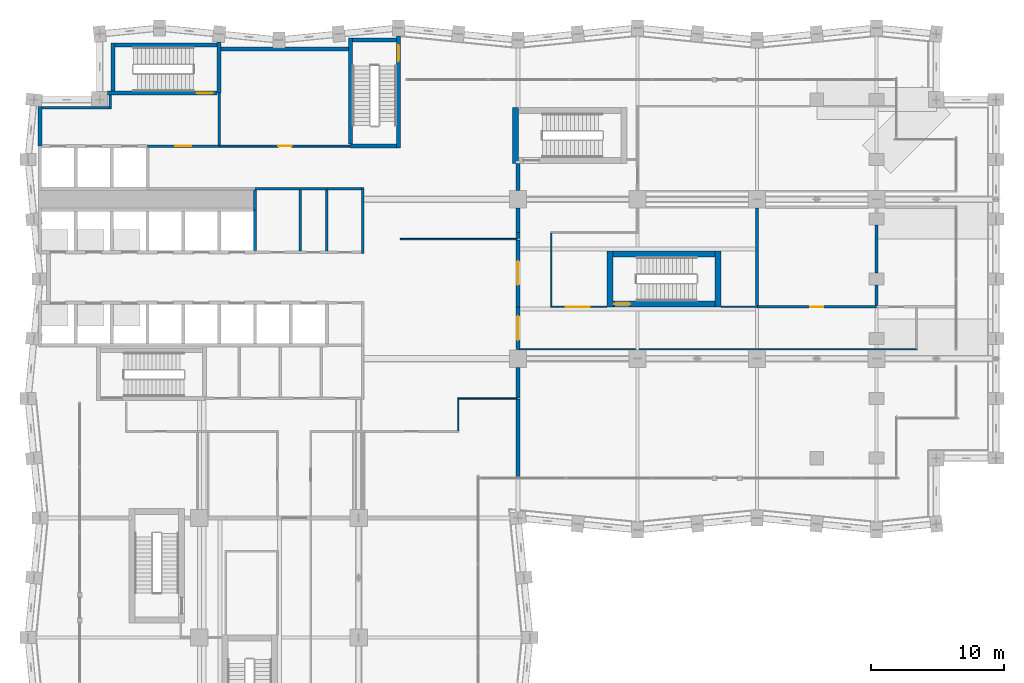
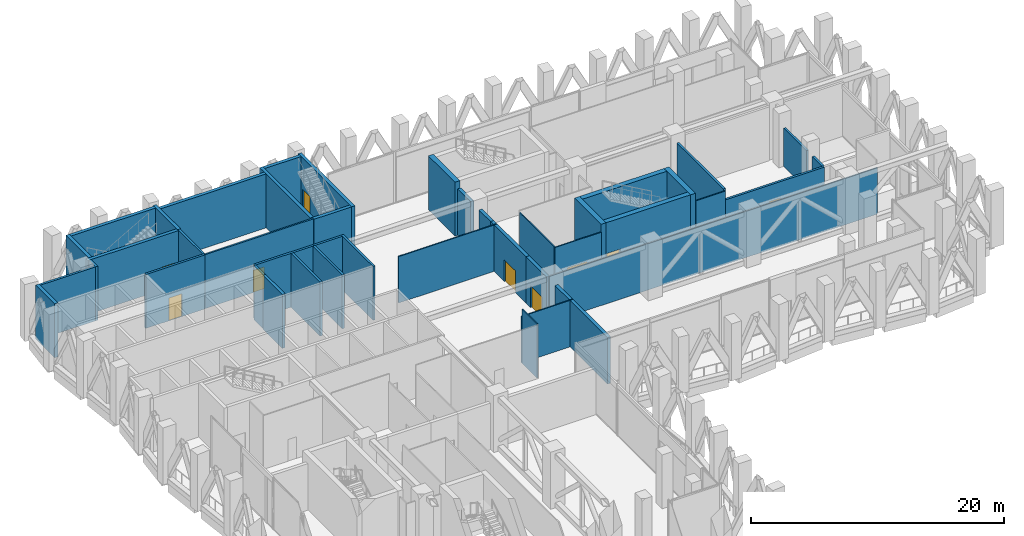
# One storey, part 24 of 37: 45 walls, 9 doors, 9 openings.
"""IFC4 building model written with IfcOpenShell, lengths in metres."""

from ifc_helpers import new_model, si_unit, direction, frame, frame_2d, origin, place, context, subcontext, project, spatial, rectangle, extrude, material, layer, layer_set, type_object, element, fill, save


model = new_model("IFC4")

# Units and contexts
model_context = context("Model", 3, precision=1e-05, world=origin(), true_north=direction((0.0, 1.0)))
body_context = subcontext(model_context, "Body", "Model", "MODEL_VIEW")
ifc_project = project(units=[si_unit("LENGTHUNIT", "METRE"), si_unit("AREAUNIT", "SQUARE_METRE"), si_unit("VOLUMEUNIT", "CUBIC_METRE"), si_unit("PLANEANGLEUNIT", "RADIAN"), si_unit("MASSUNIT", "GRAM", prefix="KILO")], contexts=[model_context])

# Site, building, storey
site_placement = place(None, origin())
site = spatial("IfcSite", under=ifc_project, at=site_placement, CompositionType="ELEMENT")
building_placement = place(site_placement, origin())
building = spatial("IfcBuilding", under=site, at=building_placement, Name="Brondeck Convention Tower", CompositionType="ELEMENT")
storey_placement = place(building_placement, frame((0.0, 0.0, 137.89990234375)))
storey = spatial("IfcBuildingStorey", under=building, at=storey_placement, Name="L33", CompositionType="ELEMENT", Elevation=137.89990234375)

# Walls
ifc_material_1 = material(Name="Concrete compartment wall C30/37", Category="concrete")
ifc_layer_1 = layer(ifc_material_1, 0.300048828125)
ifc_layer_set_1 = layer_set([ifc_layer_1], Name="Compartment wall 300")
wall_type_1 = type_object("IfcWallType", Name="Compartment wall 300", PredefinedType="PARTITIONING", material=ifc_layer_set_1)
wall_1_placement = place(storey_placement, frame((36.0, 35.949951171875, 0.0), z_axis=(0.0, 0.0, 1.0), x_axis=(0.0, -1.0, 0.0)))
element("IfcWall", 1, at=wall_1_placement, inside=storey, type_object=wall_type_1, Name="FLR-L33-W034", PredefinedType="PARTITIONING", context=body_context, shape_type="SweptSolid", body=[
    extrude(rectangle(XDim=5.89990234375, YDim=0.300048828125, at=frame_2d((2.949951171875, 0.0))), origin(), (0.0, 0.0, 1.0), 4.47998046875),
])
wall_2_placement = place(storey_placement, frame((36.0, 38.344970703125, 0.0), z_axis=(0.0, 0.0, 1.0), x_axis=(0.0, -1.0, 0.0)))
element("IfcWall", 2, at=wall_2_placement, inside=storey, type_object=wall_type_1, Name="FLR-L33-W036", PredefinedType="PARTITIONING", context=body_context, shape_type="SweptSolid", body=[
    extrude(rectangle(XDim=2.294921875, YDim=0.300048828125, at=frame_2d((1.1474609375, 0.0))), origin(), (0.0, 0.0, 1.0), 4.47998046875),
])

# Wall, opening, door
wall_3_placement = place(storey_placement, frame((36.0, 42.89990234375, 0.0), z_axis=(0.0, 0.0, 1.0), x_axis=(0.0, -1.0, 0.0)))
wall_3 = element("IfcWall", 3, at=wall_3_placement, inside=storey, type_object=wall_type_1, Name="FLR-L33-W039", PredefinedType="PARTITIONING", context=body_context, shape_type="SweptSolid", body=[
    extrude(rectangle(XDim=3.22998046875, YDim=0.300048828125, at=frame_2d((1.614990234375, 0.0))), origin(), (0.0, 0.0, 1.0), 4.47998046875),
])
opening_1_placement = place(wall_3_placement, frame((0.699951171875, 0.0, 0.0)))
opening_1 = element("IfcOpeningElement", 4, at=opening_1_placement, cuts=wall_3, Name="Opening BD-2-009", PredefinedType="OPENING", context=body_context, shape_type="SweptSolid", body=[
    extrude(rectangle(XDim=1.800048828125, YDim=2.10009765625, at=frame_2d((0.89990234375, 1.050048828125))), frame((0.0, 0.159912109375, 0.0), z_axis=(0.0, -1.0, 0.0), x_axis=(1.0, 0.0, 0.0)), (0.0, 0.0, 1.0), 0.320068359375),
])
ifc_material_2 = material(Name="Steel fire door pair", Category="steel")
door_type_1 = type_object("IfcDoorType", Name="Fire door pair 1800", OperationType="DOUBLE_DOOR_SINGLE_SWING", PredefinedType="DOOR", material=ifc_material_2)
door_1_placement = place(opening_1_placement, origin())
door_1 = element("IfcDoor", 5, at=door_1_placement, inside=storey, type_object=door_type_1, Name="Door BD-2-009", OperationType="DOUBLE_DOOR_SINGLE_SWING", OverallHeight=2.10009765625, OverallWidth=1.800048828125, PredefinedType="DOOR", context=body_context, shape_type="SweptSolid", body=[
    extrude(rectangle(XDim=1.800048828125, YDim=2.10009765625, at=frame_2d((0.89990234375, 1.050048828125))), frame((0.0, 0.02490234375, 0.0), z_axis=(0.0, -1.0, 0.0), x_axis=(1.0, 0.0, 0.0)), (0.0, 0.0, 1.0), 0.050048828125),
])
fill(opening_1, door_1)

wall_4_placement = place(storey_placement, frame((36.0, 47.949951171875, 0.0), z_axis=(0.0, 0.0, 1.0), x_axis=(0.0, -1.0, 0.0)))
wall_4 = element("IfcWall", 6, at=wall_4_placement, inside=storey, type_object=wall_type_1, Name="FLR-L33-W046", PredefinedType="PARTITIONING", context=body_context, shape_type="SweptSolid", body=[
    extrude(rectangle(XDim=5.050048828125, YDim=0.300048828125, at=frame_2d((2.52490234375, 0.0))), origin(), (0.0, 0.0, 1.0), 4.47998046875),
])
opening_2_placement = place(wall_4_placement, frame((1.60009765625, 0.0, 0.0)))
opening_2 = element("IfcOpeningElement", 7, at=opening_2_placement, cuts=wall_4, Name="Opening BD-2-010", PredefinedType="OPENING", context=body_context, shape_type="SweptSolid", body=[
    extrude(rectangle(XDim=1.800048828125, YDim=2.10009765625, at=frame_2d((0.89990234375, 1.050048828125))), frame((0.0, 0.159912109375, 0.0), z_axis=(0.0, -1.0, 0.0), x_axis=(1.0, 0.0, 0.0)), (0.0, 0.0, 1.0), 0.320068359375),
])
door_2_placement = place(opening_2_placement, origin())
door_2 = element("IfcDoor", 8, at=door_2_placement, inside=storey, type_object=door_type_1, Name="Door BD-2-010", OperationType="DOUBLE_DOOR_SINGLE_SWING", OverallHeight=2.10009765625, OverallWidth=1.800048828125, PredefinedType="DOOR", context=body_context, shape_type="SweptSolid", body=[
    extrude(rectangle(XDim=1.800048828125, YDim=2.10009765625, at=frame_2d((0.89990234375, 1.050048828125))), frame((0.0, 0.02490234375, 0.0), z_axis=(0.0, -1.0, 0.0), x_axis=(1.0, 0.0, 0.0)), (0.0, 0.0, 1.0), 0.050048828125),
])
fill(opening_2, door_2)

# Walls
wall_5_placement = place(storey_placement, frame((36.0, 48.050048828125, 0.0), z_axis=(0.0, 0.0, 1.0), x_axis=(0.0, 1.0, 0.0)))
element("IfcWall", 9, at=wall_5_placement, inside=storey, type_object=wall_type_1, Name="FLR-L33-W048", PredefinedType="PARTITIONING", context=body_context, shape_type="SweptSolid", body=[
    extrude(rectangle(XDim=0.449951171875, YDim=0.300048828125, at=frame_2d((0.22509765625, 0.0))), origin(), (0.0, 0.0, 1.0), 4.47998046875),
])
wall_6_placement = place(storey_placement, frame((36.0, 48.5, 0.0), z_axis=(0.0, 0.0, 1.0), x_axis=(0.0, 1.0, 0.0)))
element("IfcWall", 10, at=wall_6_placement, inside=storey, type_object=wall_type_1, Name="FLR-L33-W050", PredefinedType="PARTITIONING", context=body_context, shape_type="SweptSolid", body=[
    extrude(rectangle(XDim=1.844970703125, YDim=0.300048828125, at=frame_2d((0.92236328125, 0.0))), origin(), (0.0, 0.0, 1.0), 4.47998046875),
])
wall_7_placement = place(storey_placement, frame((36.0, 51.655029296875, 0.0), z_axis=(0.0, 0.0, 1.0), x_axis=(0.0, 1.0, 0.0)))
element("IfcWall", 11, at=wall_7_placement, inside=storey, type_object=wall_type_1, Name="FLR-L33-W063", PredefinedType="PARTITIONING", context=body_context, shape_type="SweptSolid", body=[
    extrude(rectangle(XDim=2.044921875, YDim=0.300048828125, at=frame_2d((1.0224609375, 0.0))), origin(), (0.0, 0.0, 1.0), 4.47998046875),
])
ifc_material_3 = material(Name="Concrete C70/85", Category="concrete")
ifc_layer_2 = layer(ifc_material_3, 0.199951171875)
ifc_layer_set_2 = layer_set([ifc_layer_2], Name="Core beam-seat wall 200 Concrete C70/85")
wall_type_2 = type_object("IfcWallType", Name="Core beam-seat wall 200 Concrete C70/85", PredefinedType="SHEAR", material=ifc_layer_set_2)
wall_8_placement = place(storey_placement, frame((24.300048828125, 46.89990234375, 0.0), z_axis=(0.0, 0.0, 1.0), x_axis=(0.0, 1.0, 0.0)))
element("IfcWall", 12, at=wall_8_placement, inside=storey, type_object=wall_type_2, Name="L33 core wall", PredefinedType="SHEAR", context=body_context, shape_type="SweptSolid", body=[
    extrude(rectangle(XDim=5.0, YDim=0.199951171875, at=frame_2d((2.5, 0.0))), origin(), (0.0, 0.0, 1.0), 5.2001953125),
])
ifc_layer_3 = layer(ifc_material_3, 0.300048828125)
ifc_layer_set_3 = layer_set([ifc_layer_3], Name="Core outer wall 300 Concrete C70/85")
wall_type_3 = type_object("IfcWallType", Name="Core outer wall 300 Concrete C70/85", PredefinedType="SHEAR", material=ifc_layer_set_3)
wall_9_placement = place(storey_placement, frame((13.64990234375, 62.300048828125, 0.0), z_axis=(0.0, 0.0, 1.0), x_axis=(1.0, 0.0, 0.0)))
element("IfcWall", 13, at=wall_9_placement, inside=storey, type_object=wall_type_3, Name="L33 core wall", PredefinedType="SHEAR", context=body_context, shape_type="SweptSolid", body=[
    extrude(rectangle(XDim=9.60009765625, YDim=0.300048828125, at=frame_2d((4.800048828125, 0.0))), origin(), (0.0, 0.0, 1.0), 5.2001953125),
])
wall_10_placement = place(storey_placement, frame((0.0, 55.0, 0.0), z_axis=(0.0, 0.0, 1.0), x_axis=(0.0, 1.0, 0.0)))
element("IfcWall", 14, at=wall_10_placement, inside=storey, type_object=wall_type_3, Name="L33 core wall", PredefinedType="SHEAR", context=body_context, shape_type="SweptSolid", body=[
    extrude(rectangle(XDim=3.0, YDim=0.300048828125, at=frame_2d((1.5, 0.0))), origin(), (0.0, 0.0, 1.0), 5.2001953125),
])

# Wall, opening, door
ifc_material_4 = material(Name="Fire-rated gypsum board partition")
ifc_layer_4 = layer(ifc_material_4, 0.14990234375)
ifc_layer_set_4 = layer_set([ifc_layer_4], Name="Core partition 150 EI 60")
wall_type_4 = type_object("IfcWallType", Name="Core partition 150 EI 60", PredefinedType="PARTITIONING", material=ifc_layer_set_4)
wall_11_placement = place(storey_placement, frame((13.5, 55.0, 0.0), z_axis=(0.0, 0.0, 1.0), x_axis=(1.0, 0.0, 0.0)))
wall_11 = element("IfcWall", 15, at=wall_11_placement, inside=storey, type_object=wall_type_4, Name="L33 core wall", PredefinedType="PARTITIONING", context=body_context, shape_type="SweptSolid", body=[
    extrude(rectangle(XDim=9.89990234375, YDim=0.14990234375, at=frame_2d((4.949951171875, 0.0))), origin(), (0.0, 0.0, 1.0), 5.2001953125),
])
opening_3_placement = place(wall_11_placement, frame((4.449951171875, 0.0, 0.0)))
opening_3 = element("IfcOpeningElement", 16, at=opening_3_placement, cuts=wall_11, Name="Opening C19-10", PredefinedType="OPENING", context=body_context, shape_type="SweptSolid", body=[
    extrude(rectangle(XDim=1.0, YDim=2.10009765625, at=frame_2d((0.5, 1.050048828125))), frame((0.0, 0.0849609375, 0.0), z_axis=(0.0, -1.0, 0.0), x_axis=(1.0, 0.0, 0.0)), (0.0, 0.0, 1.0), 0.169921875),
])
ifc_material_5 = material(Name="Steel fire door", Category="steel")
door_type_2 = type_object("IfcDoorType", Name="Room door 1000x2100 EI 60", OperationType="NOTDEFINED", PredefinedType="DOOR", material=ifc_material_5)
door_3_placement = place(opening_3_placement, origin())
door_3 = element("IfcDoor", 17, at=door_3_placement, inside=storey, type_object=door_type_2, Name="L33 Room door NE-1", OperationType="SINGLE_SWING_LEFT", OverallHeight=2.10009765625, OverallWidth=1.0, PredefinedType="DOOR", context=body_context, shape_type="SweptSolid", body=[
    extrude(rectangle(XDim=1.0, YDim=2.10009765625, at=frame_2d((0.5, 1.050048828125))), frame((0.0, 0.02490234375, 0.0), z_axis=(0.0, -1.0, 0.0), x_axis=(1.0, 0.0, 0.0)), (0.0, 0.0, 1.0), 0.050048828125),
])
fill(opening_3, door_3)

ifc_layer_5 = layer(ifc_material_4, 0.199951171875)
ifc_layer_set_5 = layer_set([ifc_layer_5], Name="Firefighting lobby wall 200 EI 120")
wall_type_5 = type_object("IfcWallType", Name="Firefighting lobby wall 200 EI 120", PredefinedType="PARTITIONING", material=ifc_layer_set_5)
wall_12_placement = place(storey_placement, frame((8.10009765625, 55.0, 0.0), z_axis=(0.0, 0.0, 1.0), x_axis=(1.0, 0.0, 0.0)))
wall_12 = element("IfcWall", 18, at=wall_12_placement, inside=storey, type_object=wall_type_5, Name="L33 core wall", PredefinedType="PARTITIONING", context=body_context, shape_type="SweptSolid", body=[
    extrude(rectangle(XDim=5.39990234375, YDim=0.199951171875, at=frame_2d((2.699951171875, 0.0))), origin(), (0.0, 0.0, 1.0), 5.2001953125),
])
opening_4_placement = place(wall_12_placement, frame((2.10009765625, 0.0, 0.0)))
opening_4 = element("IfcOpeningElement", 19, at=opening_4_placement, cuts=wall_12, Name="Opening C19-01", PredefinedType="OPENING", context=body_context, shape_type="SweptSolid", body=[
    extrude(rectangle(XDim=1.199951171875, YDim=2.199951171875, at=frame_2d((0.60009765625, 1.10009765625))), frame((0.0, 0.10986328125, 0.0), z_axis=(0.0, -1.0, 0.0), x_axis=(1.0, 0.0, 0.0)), (0.0, 0.0, 1.0), 0.219970703125),
])
door_type_3 = type_object("IfcDoorType", Name="Firefighting lobby door 1200x2200 EI 120", OperationType="NOTDEFINED", PredefinedType="DOOR", material=ifc_material_5)
door_4_placement = place(opening_4_placement, origin())
door_4 = element("IfcDoor", 20, at=door_4_placement, inside=storey, type_object=door_type_3, Name="L33 Firefighting lobby door FFL-1", OperationType="SINGLE_SWING_RIGHT", OverallHeight=2.199951171875, OverallWidth=1.199951171875, PredefinedType="DOOR", context=body_context, shape_type="SweptSolid", body=[
    extrude(rectangle(XDim=1.199951171875, YDim=2.199951171875, at=frame_2d((0.60009765625, 1.10009765625))), frame((0.0, 0.02490234375, 0.0), z_axis=(0.0, -1.0, 0.0), x_axis=(1.0, 0.0, 0.0)), (0.0, 0.0, 1.0), 0.050048828125),
])
fill(opening_4, door_4)

# Walls
wall_13_placement = place(storey_placement, frame((0.14990234375, 57.89990234375, 0.0), z_axis=(0.0, 0.0, 1.0), x_axis=(1.0, 0.0, 0.0)))
element("IfcWall", 21, at=wall_13_placement, inside=storey, type_object=wall_type_5, Name="L33 core wall", PredefinedType="PARTITIONING", context=body_context, shape_type="SweptSolid", body=[
    extrude(rectangle(XDim=5.050048828125, YDim=0.199951171875, at=frame_2d((2.52490234375, 0.0))), origin(), (0.0, 0.0, 1.0), 5.2001953125),
])
wall_14_placement = place(storey_placement, frame((5.300048828125, 57.800048828125, 0.0), z_axis=(0.0, 0.0, 1.0), x_axis=(0.0, 1.0, 0.0)))
element("IfcWall", 22, at=wall_14_placement, inside=storey, type_object=wall_type_5, Name="L33 core wall", PredefinedType="PARTITIONING", context=body_context, shape_type="SweptSolid", body=[
    extrude(rectangle(XDim=1.050048828125, YDim=0.199951171875, at=frame_2d((0.52490234375, 0.0))), origin(), (0.0, 0.0, 1.0), 5.2001953125),
])
wall_15_placement = place(storey_placement, frame((13.5, 55.10009765625, 0.0), z_axis=(0.0, 0.0, 1.0), x_axis=(0.0, 1.0, 0.0)))
element("IfcWall", 23, at=wall_15_placement, inside=storey, type_object=wall_type_5, Name="L33 core wall", PredefinedType="PARTITIONING", context=body_context, shape_type="SweptSolid", body=[
    extrude(rectangle(XDim=3.89990234375, YDim=0.199951171875, at=frame_2d((1.949951171875, 0.0))), origin(), (0.0, 0.0, 1.0), 5.2001953125),
])
ifc_layer_6 = layer(ifc_material_3, 0.25)
ifc_layer_set_6 = layer_set([ifc_layer_6], Name="Lift shaft wall 250 Concrete C70/85")
wall_type_6 = type_object("IfcWallType", Name="Lift shaft wall 250 Concrete C70/85", PredefinedType="SHEAR", material=ifc_layer_set_6)
wall_16_placement = place(storey_placement, frame((16.199951171875, 47.125, 0.0), z_axis=(0.0, 0.0, 1.0), x_axis=(0.0, 1.0, 0.0)))
element("IfcWall", 24, at=wall_16_placement, inside=storey, type_object=wall_type_6, Name="L33 core wall", PredefinedType="SHEAR", context=body_context, shape_type="SweptSolid", body=[
    extrude(rectangle(XDim=3.074951171875, YDim=0.25, at=frame_2d((1.53759765625, 0.0))), origin(), (0.0, 0.0, 1.0), 5.2001953125),
])

# Wall, opening, door
ifc_material_6 = material(Name="Concrete block wall C16/20", Category="concrete")
ifc_layer_7 = layer(ifc_material_6, 0.199951171875)
ifc_layer_set_7 = layer_set([ifc_layer_7], Name="Plant room wall 200")
wall_type_7 = type_object("IfcWallType", Name="Plant room wall 200", PredefinedType="PARTITIONING", material=ifc_layer_set_7)
wall_17_placement = place(storey_placement, frame((54.0, 42.89990234375, 0.0), z_axis=(0.0, 0.0, 1.0), x_axis=(1.0, 0.0, 0.0)))
wall_17 = element("IfcWall", 25, at=wall_17_placement, inside=storey, type_object=wall_type_7, Name="FLR-L33-W042", PredefinedType="PARTITIONING", context=body_context, shape_type="SweptSolid", body=[
    extrude(rectangle(XDim=9.0, YDim=0.199951171875, at=frame_2d((4.5, 0.0))), origin(), (0.0, 0.0, 1.0), 3.68017578125),
])
opening_5_placement = place(wall_17_placement, frame((4.0, 0.0, 0.0)))
opening_5 = element("IfcOpeningElement", 26, at=opening_5_placement, cuts=wall_17, Name="Opening BD-2-002", PredefinedType="OPENING", context=body_context, shape_type="SweptSolid", body=[
    extrude(rectangle(XDim=1.0, YDim=2.10009765625, at=frame_2d((0.5, 1.050048828125))), frame((0.0, 0.10986328125, 0.0), z_axis=(0.0, -1.0, 0.0), x_axis=(1.0, 0.0, 0.0)), (0.0, 0.0, 1.0), 0.219970703125),
])
ifc_material_7 = material(Name="Steel fire door leaf", Category="steel")
door_type_4 = type_object("IfcDoorType", Name="Plant room door 1000", OperationType="NOTDEFINED", PredefinedType="DOOR", material=ifc_material_7)
door_5_placement = place(opening_5_placement, origin())
door_5 = element("IfcDoor", 27, at=door_5_placement, inside=storey, type_object=door_type_4, Name="Door BD-2-002", OperationType="SINGLE_SWING_LEFT", OverallHeight=2.10009765625, OverallWidth=1.0, PredefinedType="DOOR", context=body_context, shape_type="SweptSolid", body=[
    extrude(rectangle(XDim=1.0, YDim=2.10009765625, at=frame_2d((0.5, 1.050048828125))), frame((0.0, 0.02490234375, 0.0), z_axis=(0.0, -1.0, 0.0), x_axis=(1.0, 0.0, 0.0)), (0.0, 0.0, 1.0), 0.050048828125),
])
fill(opening_5, door_5)

# Walls
wall_18_placement = place(storey_placement, frame((63.0, 44.544921875, 0.0), z_axis=(0.0, 0.0, 1.0), x_axis=(0.0, -1.0, 0.0)))
element("IfcWall", 28, at=wall_18_placement, inside=storey, type_object=wall_type_7, Name="FLR-L33-W045", PredefinedType="PARTITIONING", context=body_context, shape_type="SweptSolid", body=[
    extrude(rectangle(XDim=1.544921875, YDim=0.199951171875, at=frame_2d((0.7724609375, 0.0))), origin(), (0.0, 0.0, 1.0), 3.68017578125),
])
wall_19_placement = place(storey_placement, frame((63.0, 49.044921875, 0.0), z_axis=(0.0, 0.0, 1.0), x_axis=(0.0, -1.0, 0.0)))
element("IfcWall", 29, at=wall_19_placement, inside=storey, type_object=wall_type_7, Name="FLR-L33-W052", PredefinedType="PARTITIONING", context=body_context, shape_type="SweptSolid", body=[
    extrude(rectangle(XDim=3.58984375, YDim=0.199951171875, at=frame_2d((1.794921875, 0.0))), origin(), (0.0, 0.0, 1.0), 3.68017578125),
])
wall_20_placement = place(storey_placement, frame((54.0, 50.330078125, 0.0), z_axis=(0.0, 0.0, 1.0), x_axis=(0.0, -1.0, 0.0)))
element("IfcWall", 30, at=wall_20_placement, inside=storey, type_object=wall_type_7, Name="FLR-L33-W053", PredefinedType="PARTITIONING", context=body_context, shape_type="SweptSolid", body=[
    extrude(rectangle(XDim=7.330078125, YDim=0.199951171875, at=frame_2d((3.6650390625, 0.0))), origin(), (0.0, 0.0, 1.0), 4.630126953125),
])
ifc_layer_8 = layer(ifc_material_4, 0.199951171875)
ifc_layer_set_8 = layer_set([ifc_layer_8], Name="Plant room wall 200 EI 120")
wall_type_8 = type_object("IfcWallType", Name="Plant room wall 200 EI 120", PredefinedType="PARTITIONING", material=ifc_layer_set_8)
wall_21_placement = place(storey_placement, frame((16.199951171875, 51.800048828125, 0.0), z_axis=(0.0, 0.0, 1.0), x_axis=(1.0, 0.0, 0.0)))
element("IfcWall", 31, at=wall_21_placement, inside=storey, type_object=wall_type_8, Name="L33 core wall", PredefinedType="PARTITIONING", context=body_context, shape_type="SweptSolid", body=[
    extrude(rectangle(XDim=5.400146484375, YDim=0.199951171875, at=frame_2d((2.7001953125, 0.0))), origin(), (0.0, 0.0, 1.0), 5.2001953125),
])
wall_22_placement = place(storey_placement, frame((16.199951171875, 50.199951171875, 0.0), z_axis=(0.0, 0.0, 1.0), x_axis=(0.0, 1.0, 0.0)))
element("IfcWall", 32, at=wall_22_placement, inside=storey, type_object=wall_type_8, Name="L33 core wall", PredefinedType="PARTITIONING", context=body_context, shape_type="SweptSolid", body=[
    extrude(rectangle(XDim=1.5, YDim=0.199951171875, at=frame_2d((0.75, 0.0))), origin(), (0.0, 0.0, 1.0), 5.2001953125),
])
for number, where, z_axis, x_axis, name in (
    (33, (19.60009765625, 47.10009765625, 0.0), (0.0, 0.0, 1.0), (0.0, 1.0, 0.0), "L33 core wall"),
    (34, (21.60009765625, 47.10009765625, 0.0), (0.0, 0.0, 1.0), (0.0, 1.0, 0.0), "L33 core wall"),
):
    element("IfcWall", number, at=place(storey_placement, frame(where, z_axis=z_axis, x_axis=x_axis)), inside=storey, type_object=wall_type_8, Name=name, PredefinedType="PARTITIONING", context=body_context, shape_type="SweptSolid", body=[
        extrude(rectangle(XDim=4.599853515625, YDim=0.199951171875, at=frame_2d((2.2998046875, 0.0))), origin(), (0.0, 0.0, 1.0), 5.2001953125),
    ])
ifc_layer_9 = layer(ifc_material_4, 0.199951171875)
ifc_layer_set_9 = layer_set([ifc_layer_9], Name="Riser wall 200 EI 120")
wall_type_9 = type_object("IfcWallType", Name="Riser wall 200 EI 120", PredefinedType="PARTITIONING", material=ifc_layer_set_9)
wall_23_placement = place(storey_placement, frame((21.60009765625, 51.800048828125, 0.0), z_axis=(0.0, 0.0, 1.0), x_axis=(1.0, 0.0, 0.0)))
element("IfcWall", 35, at=wall_23_placement, inside=storey, type_object=wall_type_9, Name="L33 core wall", PredefinedType="PARTITIONING", context=body_context, shape_type="SweptSolid", body=[
    extrude(rectangle(XDim=2.599853515625, YDim=0.199951171875, at=frame_2d((1.2998046875, 0.0))), origin(), (0.0, 0.0, 1.0), 5.2001953125),
])
ifc_material_8 = material(Name="Gypsum board partition on steel studs", Category="steel")
ifc_layer_10 = layer(ifc_material_8, 0.10009765625)
ifc_layer_set_10 = layer_set([ifc_layer_10], Name="Room partition 100")
wall_type_10 = type_object("IfcWallType", Name="Room partition 100", PredefinedType="PARTITIONING", material=ifc_layer_set_10)
wall_24_placement = place(storey_placement, frame((31.5, 35.949951171875, 0.0), z_axis=(0.0, 0.0, 1.0), x_axis=(0.0, -1.0, 0.0)))
element("IfcWall", 36, at=wall_24_placement, inside=storey, type_object=wall_type_10, Name="FLR-L33-W033", PredefinedType="PARTITIONING", context=body_context, shape_type="SweptSolid", body=[
    extrude(rectangle(XDim=2.39990234375, YDim=0.10009765625, at=frame_2d((1.199951171875, 0.0))), origin(), (0.0, 0.0, 1.0), 5.18017578125),
])
wall_25_placement = place(storey_placement, frame((35.949951171875, 36.0, 0.0), z_axis=(0.0, 0.0, 1.0), x_axis=(-1.0, 0.0, 0.0)))
element("IfcWall", 37, at=wall_25_placement, inside=storey, type_object=wall_type_10, Name="FLR-L33-W035", PredefinedType="PARTITIONING", context=body_context, shape_type="SweptSolid", body=[
    extrude(rectangle(XDim=4.5, YDim=0.10009765625, at=frame_2d((2.25, 0.0))), origin(), (0.0, 0.0, 1.0), 4.47998046875),
])
wall_26_placement = place(storey_placement, frame((66.050048828125, 39.699951171875, 0.0), z_axis=(0.0, 0.0, 1.0), x_axis=(-1.0, 0.0, 0.0)))
element("IfcWall", 38, at=wall_26_placement, inside=storey, type_object=wall_type_10, Name="FLR-L33-W037", PredefinedType="PARTITIONING", context=body_context, shape_type="SweptSolid", body=[
    extrude(rectangle(XDim=30.0, YDim=0.10009765625, at=frame_2d((15.0, 0.0))), origin(), (0.0, 0.0, 1.0), 4.47998046875),
])

# Wall, opening, door
wall_27_placement = place(storey_placement, frame((38.449951171875, 42.89990234375, 0.0), z_axis=(0.0, 0.0, 1.0), x_axis=(1.0, 0.0, 0.0)))
wall_27 = element("IfcWall", 39, at=wall_27_placement, inside=storey, type_object=wall_type_10, Name="FLR-L33-W040", PredefinedType="PARTITIONING", context=body_context, shape_type="SweptSolid", body=[
    extrude(rectangle(XDim=4.25, YDim=0.10009765625, at=frame_2d((2.125, 0.0))), origin(), (0.0, 0.0, 1.0), 4.47998046875),
])
opening_6_placement = place(wall_27_placement, frame((1.14990234375, 0.0, 0.0)))
opening_6 = element("IfcOpeningElement", 40, at=opening_6_placement, cuts=wall_27, Name="Opening BD-2-001", PredefinedType="OPENING", context=body_context, shape_type="SweptSolid", body=[
    extrude(rectangle(XDim=1.800048828125, YDim=2.10009765625, at=frame_2d((0.89990234375, 1.050048828125))), frame((0.0, 0.06005859375, 0.0), z_axis=(0.0, -1.0, 0.0), x_axis=(1.0, 0.0, 0.0)), (0.0, 0.0, 1.0), 0.1201171875),
])
ifc_material_9 = material(Name="Glazed timber double door", Category="wood")
door_type_5 = type_object("IfcDoorType", Name="Double door 1800", OperationType="DOUBLE_DOOR_SINGLE_SWING", PredefinedType="DOOR", material=ifc_material_9)
door_6_placement = place(opening_6_placement, origin())
door_6 = element("IfcDoor", 41, at=door_6_placement, inside=storey, type_object=door_type_5, Name="Door BD-2-001", OperationType="DOUBLE_DOOR_SINGLE_SWING", OverallHeight=2.10009765625, OverallWidth=1.800048828125, PredefinedType="DOOR", context=body_context, shape_type="SweptSolid", body=[
    extrude(rectangle(XDim=1.800048828125, YDim=2.10009765625, at=frame_2d((0.89990234375, 1.050048828125))), frame((0.0, 0.02490234375, 0.0), z_axis=(0.0, -1.0, 0.0), x_axis=(1.0, 0.0, 0.0)), (0.0, 0.0, 1.0), 0.050048828125),
])
fill(opening_6, door_6)

# Walls
wall_28_placement = place(storey_placement, frame((51.300048828125, 42.89990234375, 0.0), z_axis=(0.0, 0.0, 1.0), x_axis=(1.0, 0.0, 0.0)))
element("IfcWall", 42, at=wall_28_placement, inside=storey, type_object=wall_type_10, Name="FLR-L33-W041", PredefinedType="PARTITIONING", context=body_context, shape_type="SweptSolid", body=[
    extrude(rectangle(XDim=2.699951171875, YDim=0.10009765625, at=frame_2d((1.35009765625, 0.0))), origin(), (0.0, 0.0, 1.0), 4.47998046875),
])
wall_29_placement = place(storey_placement, frame((27.14990234375, 48.0, 0.0), z_axis=(0.0, 0.0, 1.0), x_axis=(1.0, 0.0, 0.0)))
element("IfcWall", 43, at=wall_29_placement, inside=storey, type_object=wall_type_10, Name="FLR-L33-W047", PredefinedType="PARTITIONING", context=body_context, shape_type="SweptSolid", body=[
    extrude(rectangle(XDim=8.800048828125, YDim=0.10009765625, at=frame_2d((4.39990234375, 0.0))), origin(), (0.0, 0.0, 1.0), 4.47998046875),
])
wall_30_placement = place(storey_placement, frame((38.5, 48.449951171875, 0.0), z_axis=(0.0, 0.0, 1.0), x_axis=(0.0, -1.0, 0.0)))
element("IfcWall", 44, at=wall_30_placement, inside=storey, type_object=wall_type_10, Name="FLR-L33-W049", PredefinedType="PARTITIONING", context=body_context, shape_type="SweptSolid", body=[
    extrude(rectangle(XDim=5.5, YDim=0.10009765625, at=frame_2d((2.75, 0.0))), origin(), (0.0, 0.0, 1.0), 4.47998046875),
])

# Wall, opening, door
ifc_material_10 = material(Name="Concrete C50/60", Category="concrete")
ifc_layer_11 = layer(ifc_material_10, 0.449951171875)
ifc_layer_set_11 = layer_set([ifc_layer_11], Name="Stair enclosure bearing wall 450 Concrete C50/60")
wall_type_11 = type_object("IfcWallType", Name="Stair enclosure bearing wall 450 Concrete C50/60", PredefinedType="SHEAR", material=ifc_layer_set_11)
wall_31_placement = place(storey_placement, frame((43.14990234375, 43.125, 0.0), z_axis=(0.0, 0.0, 1.0), x_axis=(1.0, 0.0, 0.0)))
wall_31 = element("IfcWall", 45, at=wall_31_placement, inside=storey, type_object=wall_type_11, Name="L33 core wall", PredefinedType="SHEAR", context=body_context, shape_type="SweptSolid", body=[
    extrude(rectangle(XDim=7.7001953125, YDim=0.449951171875, at=frame_2d((3.85009765625, 0.0))), origin(), (0.0, 0.0, 1.0), 5.2001953125),
])
opening_7_placement = place(wall_31_placement, frame((0.10009765625, 0.0, 0.0)))
opening_7 = element("IfcOpeningElement", 46, at=opening_7_placement, cuts=wall_31, Name="Opening C19-15", PredefinedType="OPENING", context=body_context, shape_type="SweptSolid", body=[
    extrude(rectangle(XDim=1.199951171875, YDim=2.199951171875, at=frame_2d((0.60009765625, 1.10009765625))), frame((0.0, 0.23486328125, 0.0), z_axis=(0.0, -1.0, 0.0), x_axis=(1.0, 0.0, 0.0)), (0.0, 0.0, 1.0), 0.469970703125),
])
door_type_6 = type_object("IfcDoorType", Name="Stair door 1200x2200 EI 90", OperationType="NOTDEFINED", PredefinedType="DOOR", material=ifc_material_5)
door_7_placement = place(opening_7_placement, origin())
door_7 = element("IfcDoor", 47, at=door_7_placement, inside=storey, type_object=door_type_6, Name="L33 Stair door ST-AF", OperationType="SINGLE_SWING_RIGHT", OverallHeight=2.199951171875, OverallWidth=1.199951171875, PredefinedType="DOOR", context=body_context, shape_type="SweptSolid", body=[
    extrude(rectangle(XDim=1.199951171875, YDim=2.199951171875, at=frame_2d((0.60009765625, 1.10009765625))), frame((0.0, 0.02490234375, 0.0), z_axis=(0.0, -1.0, 0.0), x_axis=(1.0, 0.0, 0.0)), (0.0, 0.0, 1.0), 0.050048828125),
])
fill(opening_7, door_7)

# Walls
wall_32_placement = place(storey_placement, frame((43.14990234375, 46.875, 0.0), z_axis=(0.0, 0.0, 1.0), x_axis=(1.0, 0.0, 0.0)))
element("IfcWall", 48, at=wall_32_placement, inside=storey, type_object=wall_type_11, Name="L33 core wall", PredefinedType="SHEAR", context=body_context, shape_type="SweptSolid", body=[
    extrude(rectangle(XDim=7.7001953125, YDim=0.449951171875, at=frame_2d((3.85009765625, 0.0))), origin(), (0.0, 0.0, 1.0), 5.2001953125),
])
wall_33_placement = place(storey_placement, frame((35.824951171875, 53.699951171875, 0.0), z_axis=(0.0, 0.0, 1.0), x_axis=(0.0, 1.0, 0.0)))
element("IfcWall", 49, at=wall_33_placement, inside=storey, type_object=wall_type_11, Name="L33 core wall", PredefinedType="SHEAR", context=body_context, shape_type="SweptSolid", body=[
    extrude(rectangle(XDim=4.199951171875, YDim=0.449951171875, at=frame_2d((2.10009765625, 0.0))), origin(), (0.0, 0.0, 1.0), 5.2001953125),
])
for number, where, z_axis, x_axis, name in (
    (50, (42.925048828125, 42.89990234375, 0.0), (0.0, 0.0, 1.0), (0.0, 1.0, 0.0), "L33 core wall"),
    (51, (51.074951171875, 42.89990234375, 0.0), (0.0, 0.0, 1.0), (0.0, 1.0, 0.0), "L33 core wall"),
):
    element("IfcWall", number, at=place(storey_placement, frame(where, z_axis=z_axis, x_axis=x_axis)), inside=storey, type_object=wall_type_11, Name=name, PredefinedType="SHEAR", context=body_context, shape_type="SweptSolid", body=[
        extrude(rectangle(XDim=4.2001953125, YDim=0.449951171875, at=frame_2d((2.10009765625, 0.0))), origin(), (0.0, 0.0, 1.0), 5.2001953125),
    ])
ifc_layer_12 = layer(ifc_material_3, 0.300048828125)
ifc_layer_set_12 = layer_set([ifc_layer_12], Name="Stair enclosure wall 300 Concrete C70/85")
wall_type_12 = type_object("IfcWallType", Name="Stair enclosure wall 300 Concrete C70/85", PredefinedType="SHEAR", material=ifc_layer_set_12)
wall_34_placement = place(storey_placement, frame((23.39990234375, 55.0, 0.0), z_axis=(0.0, 0.0, 1.0), x_axis=(1.0, 0.0, 0.0)))
element("IfcWall", 52, at=wall_34_placement, inside=storey, type_object=wall_type_12, Name="L33 core wall", PredefinedType="SHEAR", context=body_context, shape_type="SweptSolid", body=[
    extrude(rectangle(XDim=3.4501953125, YDim=0.300048828125, at=frame_2d((1.72509765625, 0.0))), origin(), (0.0, 0.0, 1.0), 5.2001953125),
])

# Wall, opening, door
wall_35_placement = place(storey_placement, frame((5.10009765625, 59.0, 0.0), z_axis=(0.0, 0.0, 1.0), x_axis=(1.0, 0.0, 0.0)))
wall_35 = element("IfcWall", 53, at=wall_35_placement, inside=storey, type_object=wall_type_12, Name="L33 core wall", PredefinedType="SHEAR", context=body_context, shape_type="SweptSolid", body=[
    extrude(rectangle(XDim=8.25, YDim=0.300048828125, at=frame_2d((4.125, 0.0))), origin(), (0.0, 0.0, 1.0), 5.2001953125),
])
opening_8_placement = place(wall_35_placement, frame((6.699951171875, 0.0, 0.0)))
opening_8 = element("IfcOpeningElement", 54, at=opening_8_placement, cuts=wall_35, Name="Opening C19-13", PredefinedType="OPENING", context=body_context, shape_type="SweptSolid", body=[
    extrude(rectangle(XDim=1.199951171875, YDim=2.199951171875, at=frame_2d((0.60009765625, 1.10009765625))), frame((0.0, 0.159912109375, 0.0), z_axis=(0.0, -1.0, 0.0), x_axis=(1.0, 0.0, 0.0)), (0.0, 0.0, 1.0), 0.320068359375),
])
door_type_7 = type_object("IfcDoorType", Name="Stair door 1200x2200 EI 120", OperationType="NOTDEFINED", PredefinedType="DOOR", material=ifc_material_5)
door_8_placement = place(opening_8_placement, origin())
door_8 = element("IfcDoor", 55, at=door_8_placement, inside=storey, type_object=door_type_7, Name="L33 Stair door ST-3", OperationType="SINGLE_SWING_RIGHT", OverallHeight=2.199951171875, OverallWidth=1.199951171875, PredefinedType="DOOR", context=body_context, shape_type="SweptSolid", body=[
    extrude(rectangle(XDim=1.199951171875, YDim=2.199951171875, at=frame_2d((0.60009765625, 1.10009765625))), frame((0.0, 0.02490234375, 0.0), z_axis=(0.0, -1.0, 0.0), x_axis=(1.0, 0.0, 0.0)), (0.0, 0.0, 1.0), 0.050048828125),
])
fill(opening_8, door_8)

# Walls
wall_36_placement = place(storey_placement, frame((5.64990234375, 62.60009765625, 0.0), z_axis=(0.0, 0.0, 1.0), x_axis=(1.0, 0.0, 0.0)))
element("IfcWall", 56, at=wall_36_placement, inside=storey, type_object=wall_type_12, Name="L33 core wall", PredefinedType="SHEAR", context=body_context, shape_type="SweptSolid", body=[
    extrude(rectangle(XDim=7.7001953125, YDim=0.300048828125, at=frame_2d((3.85009765625, 0.0))), origin(), (0.0, 0.0, 1.0), 5.2001953125),
])
wall_37_placement = place(storey_placement, frame((23.550048828125, 63.0, 0.0), z_axis=(0.0, 0.0, 1.0), x_axis=(1.0, 0.0, 0.0)))
element("IfcWall", 57, at=wall_37_placement, inside=storey, type_object=wall_type_12, Name="L33 core wall", PredefinedType="SHEAR", context=body_context, shape_type="SweptSolid", body=[
    extrude(rectangle(XDim=3.300048828125, YDim=0.300048828125, at=frame_2d((1.64990234375, 0.0))), origin(), (0.0, 0.0, 1.0), 5.2001953125),
])
wall_38_placement = place(storey_placement, frame((5.5, 59.14990234375, 0.0), z_axis=(0.0, 0.0, 1.0), x_axis=(0.0, 1.0, 0.0)))
element("IfcWall", 58, at=wall_38_placement, inside=storey, type_object=wall_type_12, Name="L33 core wall", PredefinedType="SHEAR", context=body_context, shape_type="SweptSolid", body=[
    extrude(rectangle(XDim=3.60009765625, YDim=0.300048828125, at=frame_2d((1.800048828125, 0.0))), origin(), (0.0, 0.0, 1.0), 5.2001953125),
])
wall_39_placement = place(storey_placement, frame((13.5, 59.0, 0.0), z_axis=(0.0, 0.0, 1.0), x_axis=(0.0, 1.0, 0.0)))
element("IfcWall", 59, at=wall_39_placement, inside=storey, type_object=wall_type_12, Name="L33 core wall", PredefinedType="SHEAR", context=body_context, shape_type="SweptSolid", body=[
    extrude(rectangle(XDim=3.846923828125, YDim=0.300048828125, at=frame_2d((1.92333984375, 0.0))), origin(), (0.0, 0.0, 1.0), 5.2001953125),
])
wall_40_placement = place(storey_placement, frame((23.39990234375, 55.14990234375, 0.0), z_axis=(0.0, 0.0, 1.0), x_axis=(0.0, 1.0, 0.0)))
element("IfcWall", 60, at=wall_40_placement, inside=storey, type_object=wall_type_12, Name="L33 core wall", PredefinedType="SHEAR", context=body_context, shape_type="SweptSolid", body=[
    extrude(rectangle(XDim=8.0, YDim=0.300048828125, at=frame_2d((4.0, 0.0))), origin(), (0.0, 0.0, 1.0), 5.2001953125),
])

# Wall, opening, door
wall_41_placement = place(storey_placement, frame((27.0, 54.85009765625, 0.0), z_axis=(0.0, 0.0, 1.0), x_axis=(0.0, 1.0, 0.0)))
wall_41 = element("IfcWall", 61, at=wall_41_placement, inside=storey, type_object=wall_type_12, Name="L33 core wall", PredefinedType="SHEAR", context=body_context, shape_type="SweptSolid", body=[
    extrude(rectangle(XDim=8.449951171875, YDim=0.300048828125, at=frame_2d((4.22509765625, 0.0))), origin(), (0.0, 0.0, 1.0), 5.2001953125),
])
opening_9_placement = place(wall_41_placement, frame((6.550048828125, 0.0, 0.0)))
opening_9 = element("IfcOpeningElement", 62, at=opening_9_placement, cuts=wall_41, Name="Opening C19-12", PredefinedType="OPENING", context=body_context, shape_type="SweptSolid", body=[
    extrude(rectangle(XDim=1.199951171875, YDim=2.199951171875, at=frame_2d((0.60009765625, 1.10009765625))), frame((0.0, 0.159912109375, 0.0), z_axis=(0.0, -1.0, 0.0), x_axis=(1.0, 0.0, 0.0)), (0.0, 0.0, 1.0), 0.320068359375),
])
door_9_placement = place(opening_9_placement, origin())
door_9 = element("IfcDoor", 63, at=door_9_placement, inside=storey, type_object=door_type_6, Name="L33 Stair door ST-2", OperationType="SINGLE_SWING_LEFT", OverallHeight=2.199951171875, OverallWidth=1.199951171875, PredefinedType="DOOR", context=body_context, shape_type="SweptSolid", body=[
    extrude(rectangle(XDim=1.199951171875, YDim=2.199951171875, at=frame_2d((0.60009765625, 1.10009765625))), frame((0.0, 0.02490234375, 0.0), z_axis=(0.0, -1.0, 0.0), x_axis=(1.0, 0.0, 0.0)), (0.0, 0.0, 1.0), 0.050048828125),
])
fill(opening_9, door_9)

save(model, "model.ifc")
